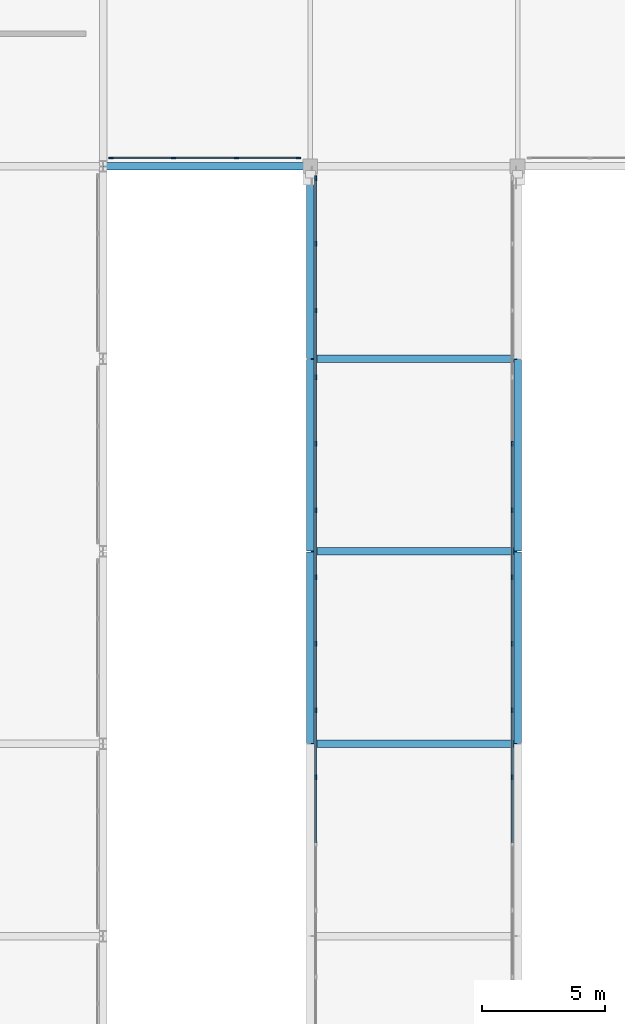
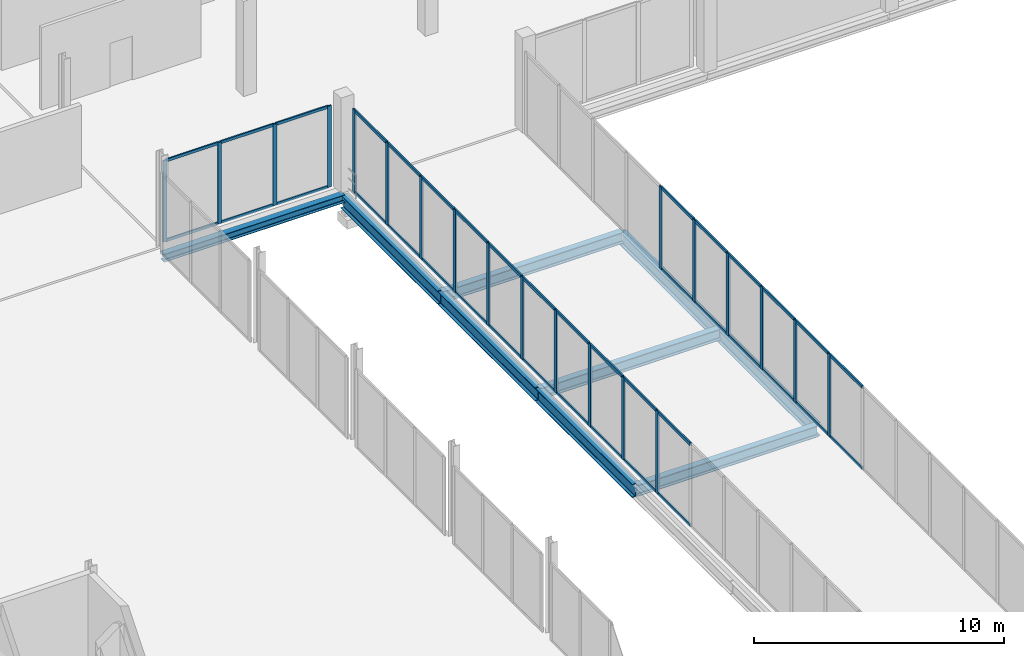
# One storey, part 39 of 98: 58 members, 9 beams, 3 elements without a shape of their own.
"""IFC4 building model written with IfcOpenShell, lengths in metres."""

from ifc_helpers import new_model, si_unit, direction, frame, origin, origin_2d, place, context, subcontext, project, spatial, rectangle, i_section, extrude, material, material_profile, profile_set, type_object, element, aggregate, save


model = new_model("IFC4")

# Units and contexts
model_context = context("Model", 3, precision=1e-05, world=origin(), true_north=direction((0.0, 1.0)))
body_context = subcontext(model_context, "Body", "Model", "MODEL_VIEW")
ifc_project = project(units=[si_unit("LENGTHUNIT", "METRE"), si_unit("AREAUNIT", "SQUARE_METRE"), si_unit("VOLUMEUNIT", "CUBIC_METRE"), si_unit("PLANEANGLEUNIT", "RADIAN"), si_unit("MASSUNIT", "GRAM", prefix="KILO")], contexts=[model_context])

# Site, building, storey
site_placement = place(None, origin())
site = spatial("IfcSite", under=ifc_project, at=site_placement, CompositionType="ELEMENT")
building_placement = place(site_placement, origin())
building = spatial("IfcBuilding", under=site, at=building_placement, Name="Nabrawat Pavilion Hospital", CompositionType="ELEMENT")
storey_placement = place(building_placement, frame((0.0, 0.0, 10.199951171875)))
storey = spatial("IfcBuildingStorey", under=building, at=storey_placement, Name="L02", CompositionType="ELEMENT", Elevation=10.199951171875)

# Beams
ifc_material_1 = material(Name="Steel S355", Category="steel")
ifc_material_profile_1 = material_profile(ifc_material_1, i_section(OverallWidth=0.300048828125, OverallDepth=0.64990234375, WebThickness=0.01611328125, FlangeThickness=0.031005859375, FilletRadius=0.027099609375, at=origin_2d()), Name="HEB 650")
ifc_profile_set_1 = profile_set([ifc_material_profile_1], Name="Steel S355")
beam_type_1 = type_object("IfcBeamType", Name="Courtyard Link Bridge Edge Girder HEB 650", PredefinedType="USERDEFINED", material=ifc_profile_set_1)
for number, where, z_axis, x_axis, name in (
    (1, (67.199951171875, 62.419921875, -0.614990234375), (0.0, 1.0, 0.0), (-1.0, 0.0, 0.0), "L02 Courtyard Link Bridge Edge Girder 1240"),
    (2, (67.199951171875, 70.219970703125, -0.614990234375), (0.0, 1.0, 0.0), (-1.0, 0.0, 0.0), "L02 Courtyard Link Bridge Edge Girder 1241"),
    (3, (67.199951171875, 78.02001953125, -0.614990234375), (0.0, 1.0, 0.0), (-1.0, 0.0, 0.0), "L02 Courtyard Link Bridge Edge Girder 1242"),
    (4, (75.60009765625, 62.419921875, -0.614990234375), (0.0, 1.0, 0.0), (-1.0, 0.0, 0.0), "L02 Courtyard Link Bridge Edge Girder 1249"),
    (5, (75.60009765625, 70.219970703125, -0.614990234375), (0.0, 1.0, 0.0), (-1.0, 0.0, 0.0), "L02 Courtyard Link Bridge Edge Girder 1250"),
):
    element("IfcBeam", number, at=place(storey_placement, frame(where, z_axis=z_axis, x_axis=x_axis)), inside=storey, type_object=beam_type_1, Name=name, ObjectType="GIRDER", PredefinedType="USERDEFINED", context=body_context, shape_type="SweptSolid", body=[
        extrude(i_section(OverallWidth=0.300048828125, OverallDepth=0.64990234375, WebThickness=0.01611328125, FlangeThickness=0.031005859375, FilletRadius=0.027099609375, at=origin_2d()), origin(), (0.0, 0.0, 1.0), 7.760009765625),
    ])

# Curtain wall, members
ifc_material_2 = material(Name="Anodised Aluminium", Category="aluminium")
curtain_wall_type_1 = type_object("IfcCurtainWallType", Name="Courtyard Link Bridge Glazed Curtain Wall", PredefinedType="USERDEFINED", material=ifc_material_2)
curtain_wall_1_placement = place(storey_placement, origin())
curtain_wall_1 = element("IfcCurtainWall", 6, at=curtain_wall_1_placement, inside=storey, type_object=curtain_wall_type_1, Name="L02 Courtyard Link Bridge Glazed Curtain Wall 117", ObjectType="CURTAIN WALL", PredefinedType="USERDEFINED")
ifc_material_profile_2 = material_profile(ifc_material_2, rectangle(XDim=0.070068359375, YDim=0.199951171875, at=origin_2d()), Name="CWM 70x200")
ifc_profile_set_2 = profile_set([ifc_material_profile_2], Name="Anodised Aluminium")
member_type_1 = type_object("IfcMemberType", Name="Courtyard Link Bridge Glazed Curtain Wall Mullion CWM 70x200", PredefinedType="MULLION", material=ifc_profile_set_2)
member_1_placement = place(storey_placement, frame((67.419921875, 61.04931640625, 0.0), z_axis=(0.0, 0.0, 1.0), x_axis=(-1.0, 0.0, 0.0)))
member_1 = element("IfcMember", 7, at=member_1_placement, type_object=member_type_1, Name="CW-BRG-01 mullion 9", PredefinedType="MULLION", context=body_context, shape_type="SweptSolid", body=[
    extrude(rectangle(XDim=0.070068359375, YDim=0.199951171875, at=origin_2d()), origin(), (0.0, 0.0, 1.0), 4.0400390625),
])
member_2_placement = place(storey_placement, frame((67.419921875, 63.75048828125, 0.0), z_axis=(0.0, 0.0, 1.0), x_axis=(-1.0, 0.0, 0.0)))
member_2 = element("IfcMember", 8, at=member_2_placement, type_object=member_type_1, Name="CW-BRG-01 mullion 10", PredefinedType="MULLION", context=body_context, shape_type="SweptSolid", body=[
    extrude(rectangle(XDim=0.070068359375, YDim=0.199951171875, at=origin_2d()), origin(), (0.0, 0.0, 1.0), 4.0400390625),
])
member_3_placement = place(storey_placement, frame((67.419921875, 66.45166015625, 0.0), z_axis=(0.0, 0.0, 1.0), x_axis=(-1.0, 0.0, 0.0)))
member_3 = element("IfcMember", 9, at=member_3_placement, type_object=member_type_1, Name="CW-BRG-01 mullion 11", PredefinedType="MULLION", context=body_context, shape_type="SweptSolid", body=[
    extrude(rectangle(XDim=0.070068359375, YDim=0.199951171875, at=origin_2d()), origin(), (0.0, 0.0, 1.0), 4.0400390625),
])
member_4_placement = place(storey_placement, frame((67.419921875, 69.15283203125, 0.0), z_axis=(0.0, 0.0, 1.0), x_axis=(-1.0, 0.0, 0.0)))
member_4 = element("IfcMember", 10, at=member_4_placement, type_object=member_type_1, Name="CW-BRG-01 mullion 12", PredefinedType="MULLION", context=body_context, shape_type="SweptSolid", body=[
    extrude(rectangle(XDim=0.070068359375, YDim=0.199951171875, at=origin_2d()), origin(), (0.0, 0.0, 1.0), 4.0400390625),
])
member_5_placement = place(storey_placement, frame((67.419921875, 71.85400390625, 0.0), z_axis=(0.0, 0.0, 1.0), x_axis=(-1.0, 0.0, 0.0)))
member_5 = element("IfcMember", 11, at=member_5_placement, type_object=member_type_1, Name="CW-BRG-01 mullion 13", PredefinedType="MULLION", context=body_context, shape_type="SweptSolid", body=[
    extrude(rectangle(XDim=0.070068359375, YDim=0.199951171875, at=origin_2d()), origin(), (0.0, 0.0, 1.0), 4.0400390625),
])
member_6_placement = place(storey_placement, frame((67.419921875, 74.55517578125, 0.0), z_axis=(0.0, 0.0, 1.0), x_axis=(-1.0, 0.0, 0.0)))
member_6 = element("IfcMember", 12, at=member_6_placement, type_object=member_type_1, Name="CW-BRG-01 mullion 14", PredefinedType="MULLION", context=body_context, shape_type="SweptSolid", body=[
    extrude(rectangle(XDim=0.070068359375, YDim=0.199951171875, at=origin_2d()), origin(), (0.0, 0.0, 1.0), 4.0400390625),
])
member_7_placement = place(storey_placement, frame((67.419921875, 77.256591796875, 0.0), z_axis=(0.0, 0.0, 1.0), x_axis=(-1.0, 0.0, 0.0)))
member_7 = element("IfcMember", 13, at=member_7_placement, type_object=member_type_1, Name="CW-BRG-01 mullion 15", PredefinedType="MULLION", context=body_context, shape_type="SweptSolid", body=[
    extrude(rectangle(XDim=0.070068359375, YDim=0.199951171875, at=origin_2d()), origin(), (0.0, 0.0, 1.0), 4.0400390625),
])
member_8_placement = place(storey_placement, frame((67.419921875, 79.957763671875, 0.0), z_axis=(0.0, 0.0, 1.0), x_axis=(-1.0, 0.0, 0.0)))
member_8 = element("IfcMember", 14, at=member_8_placement, type_object=member_type_1, Name="CW-BRG-01 mullion 16", PredefinedType="MULLION", context=body_context, shape_type="SweptSolid", body=[
    extrude(rectangle(XDim=0.070068359375, YDim=0.199951171875, at=origin_2d()), origin(), (0.0, 0.0, 1.0), 4.0400390625),
])
member_9_placement = place(storey_placement, frame((67.419921875, 82.658935546875, 0.0), z_axis=(0.0, 0.0, 1.0), x_axis=(-1.0, 0.0, 0.0)))
member_9 = element("IfcMember", 15, at=member_9_placement, type_object=member_type_1, Name="CW-BRG-01 mullion 17", PredefinedType="MULLION", context=body_context, shape_type="SweptSolid", body=[
    extrude(rectangle(XDim=0.070068359375, YDim=0.199951171875, at=origin_2d()), origin(), (0.0, 0.0, 1.0), 4.0400390625),
])
member_10_placement = place(storey_placement, frame((67.419921875, 85.324951171875, 0.0), z_axis=(0.0, 0.0, 1.0), x_axis=(-1.0, 0.0, 0.0)))
member_10 = element("IfcMember", 16, at=member_10_placement, type_object=member_type_1, Name="CW-BRG-01 mullion 18", PredefinedType="MULLION", context=body_context, shape_type="SweptSolid", body=[
    extrude(rectangle(XDim=0.070068359375, YDim=0.199951171875, at=origin_2d()), origin(), (0.0, 0.0, 1.0), 4.0400390625),
])

curtain_wall_2_placement = place(storey_placement, origin())
curtain_wall_2 = element("IfcCurtainWall", 17, at=curtain_wall_2_placement, inside=storey, type_object=curtain_wall_type_1, Name="L02 Courtyard Link Bridge Glazed Curtain Wall 118", ObjectType="CURTAIN WALL", PredefinedType="USERDEFINED")
member_11_placement = place(storey_placement, frame((75.3798828125, 61.04931640625, 0.0), z_axis=(0.0, 0.0, 1.0), x_axis=(-1.0, 0.0, 0.0)))
member_11 = element("IfcMember", 18, at=member_11_placement, type_object=member_type_1, Name="CW-BRG-01 mullion 9", PredefinedType="MULLION", context=body_context, shape_type="SweptSolid", body=[
    extrude(rectangle(XDim=0.070068359375, YDim=0.199951171875, at=origin_2d()), origin(), (0.0, 0.0, 1.0), 4.0400390625),
])
member_12_placement = place(storey_placement, frame((75.3798828125, 63.75048828125, 0.0), z_axis=(0.0, 0.0, 1.0), x_axis=(-1.0, 0.0, 0.0)))
member_12 = element("IfcMember", 19, at=member_12_placement, type_object=member_type_1, Name="CW-BRG-01 mullion 10", PredefinedType="MULLION", context=body_context, shape_type="SweptSolid", body=[
    extrude(rectangle(XDim=0.070068359375, YDim=0.199951171875, at=origin_2d()), origin(), (0.0, 0.0, 1.0), 4.0400390625),
])
member_13_placement = place(storey_placement, frame((75.3798828125, 66.45166015625, 0.0), z_axis=(0.0, 0.0, 1.0), x_axis=(-1.0, 0.0, 0.0)))
member_13 = element("IfcMember", 20, at=member_13_placement, type_object=member_type_1, Name="CW-BRG-01 mullion 11", PredefinedType="MULLION", context=body_context, shape_type="SweptSolid", body=[
    extrude(rectangle(XDim=0.070068359375, YDim=0.199951171875, at=origin_2d()), origin(), (0.0, 0.0, 1.0), 4.0400390625),
])
member_14_placement = place(storey_placement, frame((75.3798828125, 69.15283203125, 0.0), z_axis=(0.0, 0.0, 1.0), x_axis=(-1.0, 0.0, 0.0)))
member_14 = element("IfcMember", 21, at=member_14_placement, type_object=member_type_1, Name="CW-BRG-01 mullion 12", PredefinedType="MULLION", context=body_context, shape_type="SweptSolid", body=[
    extrude(rectangle(XDim=0.070068359375, YDim=0.199951171875, at=origin_2d()), origin(), (0.0, 0.0, 1.0), 4.0400390625),
])
member_15_placement = place(storey_placement, frame((75.3798828125, 71.85400390625, 0.0), z_axis=(0.0, 0.0, 1.0), x_axis=(-1.0, 0.0, 0.0)))
member_15 = element("IfcMember", 22, at=member_15_placement, type_object=member_type_1, Name="CW-BRG-01 mullion 13", PredefinedType="MULLION", context=body_context, shape_type="SweptSolid", body=[
    extrude(rectangle(XDim=0.070068359375, YDim=0.199951171875, at=origin_2d()), origin(), (0.0, 0.0, 1.0), 4.0400390625),
])
member_16_placement = place(storey_placement, frame((75.3798828125, 74.55517578125, 0.0), z_axis=(0.0, 0.0, 1.0), x_axis=(-1.0, 0.0, 0.0)))
member_16 = element("IfcMember", 23, at=member_16_placement, type_object=member_type_1, Name="CW-BRG-01 mullion 14", PredefinedType="MULLION", context=body_context, shape_type="SweptSolid", body=[
    extrude(rectangle(XDim=0.070068359375, YDim=0.199951171875, at=origin_2d()), origin(), (0.0, 0.0, 1.0), 4.0400390625),
])

# Member
ifc_material_profile_3 = material_profile(ifc_material_2, rectangle(XDim=0.070068359375, YDim=0.14990234375, at=origin_2d()), Name="CWT 70x150")
ifc_profile_set_3 = profile_set([ifc_material_profile_3], Name="Anodised Aluminium")
member_type_2 = type_object("IfcMemberType", Name="Courtyard Link Bridge Glazed Curtain Wall Transom CWT 70x150", PredefinedType="USERDEFINED", material=ifc_profile_set_3)
member_17_placement = place(storey_placement, frame((67.419921875, 58.38330078125, 0.03515625), z_axis=(0.0, 1.0, 0.0), x_axis=(-1.0, 0.0, 0.0)))
member_17 = element("IfcMember", 24, at=member_17_placement, type_object=member_type_2, Name="CW-BRG-01 transom 8.1", ObjectType="TRANSOM", PredefinedType="USERDEFINED", context=body_context, shape_type="SweptSolid", body=[
    extrude(rectangle(XDim=0.070068359375, YDim=0.14990234375, at=origin_2d()), origin(), (0.0, 0.0, 1.0), 2.631103515625),
])

member_18_placement = place(storey_placement, frame((67.419921875, 58.38330078125, 4.005126953125), z_axis=(0.0, 1.0, 0.0), x_axis=(-1.0, 0.0, 0.0)))
member_18 = element("IfcMember", 25, at=member_18_placement, type_object=member_type_2, Name="CW-BRG-01 transom 8.2", ObjectType="TRANSOM", PredefinedType="USERDEFINED", context=body_context, shape_type="SweptSolid", body=[
    extrude(rectangle(XDim=0.070068359375, YDim=0.14990234375, at=origin_2d()), origin(), (0.0, 0.0, 1.0), 2.631103515625),
])

member_19_placement = place(storey_placement, frame((67.419921875, 61.08447265625, 0.03515625), z_axis=(0.0, 1.0, 0.0), x_axis=(-1.0, 0.0, 0.0)))
member_19 = element("IfcMember", 26, at=member_19_placement, type_object=member_type_2, Name="CW-BRG-01 transom 9.1", ObjectType="TRANSOM", PredefinedType="USERDEFINED", context=body_context, shape_type="SweptSolid", body=[
    extrude(rectangle(XDim=0.070068359375, YDim=0.14990234375, at=origin_2d()), origin(), (0.0, 0.0, 1.0), 2.631103515625),
])

member_20_placement = place(storey_placement, frame((67.419921875, 61.08447265625, 4.005126953125), z_axis=(0.0, 1.0, 0.0), x_axis=(-1.0, 0.0, 0.0)))
member_20 = element("IfcMember", 27, at=member_20_placement, type_object=member_type_2, Name="CW-BRG-01 transom 9.2", ObjectType="TRANSOM", PredefinedType="USERDEFINED", context=body_context, shape_type="SweptSolid", body=[
    extrude(rectangle(XDim=0.070068359375, YDim=0.14990234375, at=origin_2d()), origin(), (0.0, 0.0, 1.0), 2.631103515625),
])

member_21_placement = place(storey_placement, frame((67.419921875, 63.78564453125, 0.03515625), z_axis=(0.0, 1.0, 0.0), x_axis=(-1.0, 0.0, 0.0)))
member_21 = element("IfcMember", 28, at=member_21_placement, type_object=member_type_2, Name="CW-BRG-01 transom 10.1", ObjectType="TRANSOM", PredefinedType="USERDEFINED", context=body_context, shape_type="SweptSolid", body=[
    extrude(rectangle(XDim=0.070068359375, YDim=0.14990234375, at=origin_2d()), origin(), (0.0, 0.0, 1.0), 2.631103515625),
])

member_22_placement = place(storey_placement, frame((67.419921875, 63.78564453125, 4.005126953125), z_axis=(0.0, 1.0, 0.0), x_axis=(-1.0, 0.0, 0.0)))
member_22 = element("IfcMember", 29, at=member_22_placement, type_object=member_type_2, Name="CW-BRG-01 transom 10.2", ObjectType="TRANSOM", PredefinedType="USERDEFINED", context=body_context, shape_type="SweptSolid", body=[
    extrude(rectangle(XDim=0.070068359375, YDim=0.14990234375, at=origin_2d()), origin(), (0.0, 0.0, 1.0), 2.631103515625),
])

member_23_placement = place(storey_placement, frame((67.419921875, 66.48681640625, 0.03515625), z_axis=(0.0, 1.0, 0.0), x_axis=(-1.0, 0.0, 0.0)))
member_23 = element("IfcMember", 30, at=member_23_placement, type_object=member_type_2, Name="CW-BRG-01 transom 11.1", ObjectType="TRANSOM", PredefinedType="USERDEFINED", context=body_context, shape_type="SweptSolid", body=[
    extrude(rectangle(XDim=0.070068359375, YDim=0.14990234375, at=origin_2d()), origin(), (0.0, 0.0, 1.0), 2.631103515625),
])

member_24_placement = place(storey_placement, frame((67.419921875, 66.48681640625, 4.005126953125), z_axis=(0.0, 1.0, 0.0), x_axis=(-1.0, 0.0, 0.0)))
member_24 = element("IfcMember", 31, at=member_24_placement, type_object=member_type_2, Name="CW-BRG-01 transom 11.2", ObjectType="TRANSOM", PredefinedType="USERDEFINED", context=body_context, shape_type="SweptSolid", body=[
    extrude(rectangle(XDim=0.070068359375, YDim=0.14990234375, at=origin_2d()), origin(), (0.0, 0.0, 1.0), 2.631103515625),
])

member_25_placement = place(storey_placement, frame((67.419921875, 69.18798828125, 0.03515625), z_axis=(0.0, 1.0, 0.0), x_axis=(-1.0, 0.0, 0.0)))
member_25 = element("IfcMember", 32, at=member_25_placement, type_object=member_type_2, Name="CW-BRG-01 transom 12.1", ObjectType="TRANSOM", PredefinedType="USERDEFINED", context=body_context, shape_type="SweptSolid", body=[
    extrude(rectangle(XDim=0.070068359375, YDim=0.14990234375, at=origin_2d()), origin(), (0.0, 0.0, 1.0), 2.631103515625),
])

member_26_placement = place(storey_placement, frame((67.419921875, 69.18798828125, 4.005126953125), z_axis=(0.0, 1.0, 0.0), x_axis=(-1.0, 0.0, 0.0)))
member_26 = element("IfcMember", 33, at=member_26_placement, type_object=member_type_2, Name="CW-BRG-01 transom 12.2", ObjectType="TRANSOM", PredefinedType="USERDEFINED", context=body_context, shape_type="SweptSolid", body=[
    extrude(rectangle(XDim=0.070068359375, YDim=0.14990234375, at=origin_2d()), origin(), (0.0, 0.0, 1.0), 2.631103515625),
])

member_27_placement = place(storey_placement, frame((67.419921875, 71.88916015625, 0.03515625), z_axis=(0.0, 1.0, 0.0), x_axis=(-1.0, 0.0, 0.0)))
member_27 = element("IfcMember", 34, at=member_27_placement, type_object=member_type_2, Name="CW-BRG-01 transom 13.1", ObjectType="TRANSOM", PredefinedType="USERDEFINED", context=body_context, shape_type="SweptSolid", body=[
    extrude(rectangle(XDim=0.070068359375, YDim=0.14990234375, at=origin_2d()), origin(), (0.0, 0.0, 1.0), 2.631103515625),
])

member_28_placement = place(storey_placement, frame((67.419921875, 71.88916015625, 4.005126953125), z_axis=(0.0, 1.0, 0.0), x_axis=(-1.0, 0.0, 0.0)))
member_28 = element("IfcMember", 35, at=member_28_placement, type_object=member_type_2, Name="CW-BRG-01 transom 13.2", ObjectType="TRANSOM", PredefinedType="USERDEFINED", context=body_context, shape_type="SweptSolid", body=[
    extrude(rectangle(XDim=0.070068359375, YDim=0.14990234375, at=origin_2d()), origin(), (0.0, 0.0, 1.0), 2.631103515625),
])

member_29_placement = place(storey_placement, frame((67.419921875, 74.59033203125, 0.03515625), z_axis=(0.0, 1.0, 0.0), x_axis=(-1.0, 0.0, 0.0)))
member_29 = element("IfcMember", 36, at=member_29_placement, type_object=member_type_2, Name="CW-BRG-01 transom 14.1", ObjectType="TRANSOM", PredefinedType="USERDEFINED", context=body_context, shape_type="SweptSolid", body=[
    extrude(rectangle(XDim=0.070068359375, YDim=0.14990234375, at=origin_2d()), origin(), (0.0, 0.0, 1.0), 2.631103515625),
])

member_30_placement = place(storey_placement, frame((67.419921875, 74.59033203125, 4.005126953125), z_axis=(0.0, 1.0, 0.0), x_axis=(-1.0, 0.0, 0.0)))
member_30 = element("IfcMember", 37, at=member_30_placement, type_object=member_type_2, Name="CW-BRG-01 transom 14.2", ObjectType="TRANSOM", PredefinedType="USERDEFINED", context=body_context, shape_type="SweptSolid", body=[
    extrude(rectangle(XDim=0.070068359375, YDim=0.14990234375, at=origin_2d()), origin(), (0.0, 0.0, 1.0), 2.631103515625),
])

member_31_placement = place(storey_placement, frame((67.419921875, 77.29150390625, 0.03515625), z_axis=(0.0, 1.0, 0.0), x_axis=(-1.0, 0.0, 0.0)))
member_31 = element("IfcMember", 38, at=member_31_placement, type_object=member_type_2, Name="CW-BRG-01 transom 15.1", ObjectType="TRANSOM", PredefinedType="USERDEFINED", context=body_context, shape_type="SweptSolid", body=[
    extrude(rectangle(XDim=0.070068359375, YDim=0.14990234375, at=origin_2d()), origin(), (0.0, 0.0, 1.0), 2.631103515625),
])

member_32_placement = place(storey_placement, frame((67.419921875, 77.29150390625, 4.005126953125), z_axis=(0.0, 1.0, 0.0), x_axis=(-1.0, 0.0, 0.0)))
member_32 = element("IfcMember", 39, at=member_32_placement, type_object=member_type_2, Name="CW-BRG-01 transom 15.2", ObjectType="TRANSOM", PredefinedType="USERDEFINED", context=body_context, shape_type="SweptSolid", body=[
    extrude(rectangle(XDim=0.070068359375, YDim=0.14990234375, at=origin_2d()), origin(), (0.0, 0.0, 1.0), 2.631103515625),
])

member_33_placement = place(storey_placement, frame((67.419921875, 79.99267578125, 0.03515625), z_axis=(0.0, 1.0, 0.0), x_axis=(-1.0, 0.0, 0.0)))
member_33 = element("IfcMember", 40, at=member_33_placement, type_object=member_type_2, Name="CW-BRG-01 transom 16.1", ObjectType="TRANSOM", PredefinedType="USERDEFINED", context=body_context, shape_type="SweptSolid", body=[
    extrude(rectangle(XDim=0.070068359375, YDim=0.14990234375, at=origin_2d()), origin(), (0.0, 0.0, 1.0), 2.631103515625),
])

member_34_placement = place(storey_placement, frame((67.419921875, 79.99267578125, 4.005126953125), z_axis=(0.0, 1.0, 0.0), x_axis=(-1.0, 0.0, 0.0)))
member_34 = element("IfcMember", 41, at=member_34_placement, type_object=member_type_2, Name="CW-BRG-01 transom 16.2", ObjectType="TRANSOM", PredefinedType="USERDEFINED", context=body_context, shape_type="SweptSolid", body=[
    extrude(rectangle(XDim=0.070068359375, YDim=0.14990234375, at=origin_2d()), origin(), (0.0, 0.0, 1.0), 2.631103515625),
])

member_35_placement = place(storey_placement, frame((67.419921875, 82.69384765625, 0.03515625), z_axis=(0.0, 1.0, 0.0), x_axis=(-1.0, 0.0, 0.0)))
member_35 = element("IfcMember", 42, at=member_35_placement, type_object=member_type_2, Name="CW-BRG-01 transom 17.1", ObjectType="TRANSOM", PredefinedType="USERDEFINED", context=body_context, shape_type="SweptSolid", body=[
    extrude(rectangle(XDim=0.070068359375, YDim=0.14990234375, at=origin_2d()), origin(), (0.0, 0.0, 1.0), 2.59619140625),
])

member_36_placement = place(storey_placement, frame((67.419921875, 82.69384765625, 4.005126953125), z_axis=(0.0, 1.0, 0.0), x_axis=(-1.0, 0.0, 0.0)))
member_36 = element("IfcMember", 43, at=member_36_placement, type_object=member_type_2, Name="CW-BRG-01 transom 17.2", ObjectType="TRANSOM", PredefinedType="USERDEFINED", context=body_context, shape_type="SweptSolid", body=[
    extrude(rectangle(XDim=0.070068359375, YDim=0.14990234375, at=origin_2d()), origin(), (0.0, 0.0, 1.0), 2.59619140625),
])

aggregate(curtain_wall_1, [member_1, member_2, member_3, member_4, member_5, member_6, member_7, member_8, member_9, member_10, member_17, member_18, member_19, member_20, member_21, member_22, member_23, member_24, member_25, member_26, member_27, member_28, member_29, member_30, member_31, member_32, member_33, member_34, member_35, member_36])

member_37_placement = place(storey_placement, frame((75.3798828125, 58.38330078125, 0.03515625), z_axis=(0.0, 1.0, 0.0), x_axis=(-1.0, 0.0, 0.0)))
member_37 = element("IfcMember", 44, at=member_37_placement, type_object=member_type_2, Name="CW-BRG-01 transom 8.1", ObjectType="TRANSOM", PredefinedType="USERDEFINED", context=body_context, shape_type="SweptSolid", body=[
    extrude(rectangle(XDim=0.070068359375, YDim=0.14990234375, at=origin_2d()), origin(), (0.0, 0.0, 1.0), 2.631103515625),
])

member_38_placement = place(storey_placement, frame((75.3798828125, 58.38330078125, 4.005126953125), z_axis=(0.0, 1.0, 0.0), x_axis=(-1.0, 0.0, 0.0)))
member_38 = element("IfcMember", 45, at=member_38_placement, type_object=member_type_2, Name="CW-BRG-01 transom 8.2", ObjectType="TRANSOM", PredefinedType="USERDEFINED", context=body_context, shape_type="SweptSolid", body=[
    extrude(rectangle(XDim=0.070068359375, YDim=0.14990234375, at=origin_2d()), origin(), (0.0, 0.0, 1.0), 2.631103515625),
])

member_39_placement = place(storey_placement, frame((75.3798828125, 61.08447265625, 0.03515625), z_axis=(0.0, 1.0, 0.0), x_axis=(-1.0, 0.0, 0.0)))
member_39 = element("IfcMember", 46, at=member_39_placement, type_object=member_type_2, Name="CW-BRG-01 transom 9.1", ObjectType="TRANSOM", PredefinedType="USERDEFINED", context=body_context, shape_type="SweptSolid", body=[
    extrude(rectangle(XDim=0.070068359375, YDim=0.14990234375, at=origin_2d()), origin(), (0.0, 0.0, 1.0), 2.631103515625),
])

member_40_placement = place(storey_placement, frame((75.3798828125, 61.08447265625, 4.005126953125), z_axis=(0.0, 1.0, 0.0), x_axis=(-1.0, 0.0, 0.0)))
member_40 = element("IfcMember", 47, at=member_40_placement, type_object=member_type_2, Name="CW-BRG-01 transom 9.2", ObjectType="TRANSOM", PredefinedType="USERDEFINED", context=body_context, shape_type="SweptSolid", body=[
    extrude(rectangle(XDim=0.070068359375, YDim=0.14990234375, at=origin_2d()), origin(), (0.0, 0.0, 1.0), 2.631103515625),
])

member_41_placement = place(storey_placement, frame((75.3798828125, 63.78564453125, 0.03515625), z_axis=(0.0, 1.0, 0.0), x_axis=(-1.0, 0.0, 0.0)))
member_41 = element("IfcMember", 48, at=member_41_placement, type_object=member_type_2, Name="CW-BRG-01 transom 10.1", ObjectType="TRANSOM", PredefinedType="USERDEFINED", context=body_context, shape_type="SweptSolid", body=[
    extrude(rectangle(XDim=0.070068359375, YDim=0.14990234375, at=origin_2d()), origin(), (0.0, 0.0, 1.0), 2.631103515625),
])

member_42_placement = place(storey_placement, frame((75.3798828125, 63.78564453125, 4.005126953125), z_axis=(0.0, 1.0, 0.0), x_axis=(-1.0, 0.0, 0.0)))
member_42 = element("IfcMember", 49, at=member_42_placement, type_object=member_type_2, Name="CW-BRG-01 transom 10.2", ObjectType="TRANSOM", PredefinedType="USERDEFINED", context=body_context, shape_type="SweptSolid", body=[
    extrude(rectangle(XDim=0.070068359375, YDim=0.14990234375, at=origin_2d()), origin(), (0.0, 0.0, 1.0), 2.631103515625),
])

member_43_placement = place(storey_placement, frame((75.3798828125, 66.48681640625, 0.03515625), z_axis=(0.0, 1.0, 0.0), x_axis=(-1.0, 0.0, 0.0)))
member_43 = element("IfcMember", 50, at=member_43_placement, type_object=member_type_2, Name="CW-BRG-01 transom 11.1", ObjectType="TRANSOM", PredefinedType="USERDEFINED", context=body_context, shape_type="SweptSolid", body=[
    extrude(rectangle(XDim=0.070068359375, YDim=0.14990234375, at=origin_2d()), origin(), (0.0, 0.0, 1.0), 2.631103515625),
])

member_44_placement = place(storey_placement, frame((75.3798828125, 66.48681640625, 4.005126953125), z_axis=(0.0, 1.0, 0.0), x_axis=(-1.0, 0.0, 0.0)))
member_44 = element("IfcMember", 51, at=member_44_placement, type_object=member_type_2, Name="CW-BRG-01 transom 11.2", ObjectType="TRANSOM", PredefinedType="USERDEFINED", context=body_context, shape_type="SweptSolid", body=[
    extrude(rectangle(XDim=0.070068359375, YDim=0.14990234375, at=origin_2d()), origin(), (0.0, 0.0, 1.0), 2.631103515625),
])

member_45_placement = place(storey_placement, frame((75.3798828125, 69.18798828125, 0.03515625), z_axis=(0.0, 1.0, 0.0), x_axis=(-1.0, 0.0, 0.0)))
member_45 = element("IfcMember", 52, at=member_45_placement, type_object=member_type_2, Name="CW-BRG-01 transom 12.1", ObjectType="TRANSOM", PredefinedType="USERDEFINED", context=body_context, shape_type="SweptSolid", body=[
    extrude(rectangle(XDim=0.070068359375, YDim=0.14990234375, at=origin_2d()), origin(), (0.0, 0.0, 1.0), 2.631103515625),
])

member_46_placement = place(storey_placement, frame((75.3798828125, 69.18798828125, 4.005126953125), z_axis=(0.0, 1.0, 0.0), x_axis=(-1.0, 0.0, 0.0)))
member_46 = element("IfcMember", 53, at=member_46_placement, type_object=member_type_2, Name="CW-BRG-01 transom 12.2", ObjectType="TRANSOM", PredefinedType="USERDEFINED", context=body_context, shape_type="SweptSolid", body=[
    extrude(rectangle(XDim=0.070068359375, YDim=0.14990234375, at=origin_2d()), origin(), (0.0, 0.0, 1.0), 2.631103515625),
])

member_47_placement = place(storey_placement, frame((75.3798828125, 71.88916015625, 0.03515625), z_axis=(0.0, 1.0, 0.0), x_axis=(-1.0, 0.0, 0.0)))
member_47 = element("IfcMember", 54, at=member_47_placement, type_object=member_type_2, Name="CW-BRG-01 transom 13.1", ObjectType="TRANSOM", PredefinedType="USERDEFINED", context=body_context, shape_type="SweptSolid", body=[
    extrude(rectangle(XDim=0.070068359375, YDim=0.14990234375, at=origin_2d()), origin(), (0.0, 0.0, 1.0), 2.631103515625),
])

member_48_placement = place(storey_placement, frame((75.3798828125, 71.88916015625, 4.005126953125), z_axis=(0.0, 1.0, 0.0), x_axis=(-1.0, 0.0, 0.0)))
member_48 = element("IfcMember", 55, at=member_48_placement, type_object=member_type_2, Name="CW-BRG-01 transom 13.2", ObjectType="TRANSOM", PredefinedType="USERDEFINED", context=body_context, shape_type="SweptSolid", body=[
    extrude(rectangle(XDim=0.070068359375, YDim=0.14990234375, at=origin_2d()), origin(), (0.0, 0.0, 1.0), 2.631103515625),
])

aggregate(curtain_wall_2, [member_11, member_12, member_13, member_14, member_15, member_16, member_37, member_38, member_39, member_40, member_41, member_42, member_43, member_44, member_45, member_46, member_47, member_48])

# Curtain wall, members
curtain_wall_type_2 = type_object("IfcCurtainWallType", Name="Healing Garden Cloister Curtain Wall", PredefinedType="USERDEFINED", material=ifc_material_2)
curtain_wall_3_placement = place(storey_placement, origin())
curtain_wall_3 = element("IfcCurtainWall", 56, at=curtain_wall_3_placement, inside=storey, type_object=curtain_wall_type_2, Name="L02 Healing Garden Cloister Curtain Wall 115", ObjectType="CURTAIN WALL", PredefinedType="USERDEFINED")
ifc_material_profile_4 = material_profile(ifc_material_2, rectangle(XDim=0.06494140625, YDim=0.179931640625, at=origin_2d()), Name="CWM 65x180")
ifc_profile_set_4 = profile_set([ifc_material_profile_4], Name="Anodised Aluminium")
member_type_3 = type_object("IfcMemberType", Name="Healing Garden Cloister Curtain Wall Mullion CWM 65x180", PredefinedType="MULLION", material=ifc_profile_set_4)
member_49_placement = place(storey_placement, frame((59.12255859375, 86.139892578125, 0.0), z_axis=(0.0, 0.0, 1.0), x_axis=(0.0, 1.0, 0.0)))
member_49 = element("IfcMember", 57, at=member_49_placement, type_object=member_type_3, Name="CW-CLN-01 mullion 1", PredefinedType="MULLION", context=body_context, shape_type="SweptSolid", body=[
    extrude(rectangle(XDim=0.06494140625, YDim=0.179931640625, at=origin_2d()), origin(), (0.0, 0.0, 1.0), 3.969970703125),
])
member_50_placement = place(storey_placement, frame((61.646728515625, 86.139892578125, 0.0), z_axis=(0.0, 0.0, 1.0), x_axis=(0.0, 1.0, 0.0)))
member_50 = element("IfcMember", 58, at=member_50_placement, type_object=member_type_3, Name="CW-CLN-01 mullion 2", PredefinedType="MULLION", context=body_context, shape_type="SweptSolid", body=[
    extrude(rectangle(XDim=0.06494140625, YDim=0.179931640625, at=origin_2d()), origin(), (0.0, 0.0, 1.0), 3.969970703125),
])
member_51_placement = place(storey_placement, frame((64.203369140625, 86.139892578125, 0.0), z_axis=(0.0, 0.0, 1.0), x_axis=(0.0, 1.0, 0.0)))
member_51 = element("IfcMember", 59, at=member_51_placement, type_object=member_type_3, Name="CW-CLN-01 mullion 3", PredefinedType="MULLION", context=body_context, shape_type="SweptSolid", body=[
    extrude(rectangle(XDim=0.06494140625, YDim=0.179931640625, at=origin_2d()), origin(), (0.0, 0.0, 1.0), 3.969970703125),
])
member_52_placement = place(storey_placement, frame((66.7275390625, 86.139892578125, 0.0), z_axis=(0.0, 0.0, 1.0), x_axis=(0.0, 1.0, 0.0)))
member_52 = element("IfcMember", 60, at=member_52_placement, type_object=member_type_3, Name="CW-CLN-01 mullion 4", PredefinedType="MULLION", context=body_context, shape_type="SweptSolid", body=[
    extrude(rectangle(XDim=0.06494140625, YDim=0.179931640625, at=origin_2d()), origin(), (0.0, 0.0, 1.0), 3.969970703125),
])
ifc_material_profile_5 = material_profile(ifc_material_2, rectangle(XDim=0.06494140625, YDim=0.135009765625, at=origin_2d()), Name="CWT 65x135")
ifc_profile_set_5 = profile_set([ifc_material_profile_5], Name="Anodised Aluminium")
member_type_4 = type_object("IfcMemberType", Name="Healing Garden Cloister Curtain Wall Transom CWT 65x135", PredefinedType="USERDEFINED", material=ifc_profile_set_5)
member_53_placement = place(storey_placement, frame((59.155029296875, 86.139892578125, 0.032470703125), z_axis=(1.0, 0.0, 0.0), x_axis=(0.0, 1.0, 0.0)))
member_53 = element("IfcMember", 61, at=member_53_placement, type_object=member_type_4, Name="CW-CLN-01 transom 1.1", ObjectType="TRANSOM", PredefinedType="USERDEFINED", context=body_context, shape_type="SweptSolid", body=[
    extrude(rectangle(XDim=0.06494140625, YDim=0.135009765625, at=origin_2d()), origin(), (0.0, 0.0, 1.0), 2.459228515625),
])
member_54_placement = place(storey_placement, frame((59.155029296875, 86.139892578125, 3.9375), z_axis=(1.0, 0.0, 0.0), x_axis=(0.0, 1.0, 0.0)))
member_54 = element("IfcMember", 62, at=member_54_placement, type_object=member_type_4, Name="CW-CLN-01 transom 1.2", ObjectType="TRANSOM", PredefinedType="USERDEFINED", context=body_context, shape_type="SweptSolid", body=[
    extrude(rectangle(XDim=0.06494140625, YDim=0.135009765625, at=origin_2d()), origin(), (0.0, 0.0, 1.0), 2.459228515625),
])
member_55_placement = place(storey_placement, frame((61.67919921875, 86.139892578125, 0.032470703125), z_axis=(1.0, 0.0, 0.0), x_axis=(0.0, 1.0, 0.0)))
member_55 = element("IfcMember", 63, at=member_55_placement, type_object=member_type_4, Name="CW-CLN-01 transom 2.1", ObjectType="TRANSOM", PredefinedType="USERDEFINED", context=body_context, shape_type="SweptSolid", body=[
    extrude(rectangle(XDim=0.06494140625, YDim=0.135009765625, at=origin_2d()), origin(), (0.0, 0.0, 1.0), 2.49169921875),
])
member_56_placement = place(storey_placement, frame((61.67919921875, 86.139892578125, 3.9375), z_axis=(1.0, 0.0, 0.0), x_axis=(0.0, 1.0, 0.0)))
member_56 = element("IfcMember", 64, at=member_56_placement, type_object=member_type_4, Name="CW-CLN-01 transom 2.2", ObjectType="TRANSOM", PredefinedType="USERDEFINED", context=body_context, shape_type="SweptSolid", body=[
    extrude(rectangle(XDim=0.06494140625, YDim=0.135009765625, at=origin_2d()), origin(), (0.0, 0.0, 1.0), 2.49169921875),
])
member_57_placement = place(storey_placement, frame((64.23583984375, 86.139892578125, 0.032470703125), z_axis=(1.0, 0.0, 0.0), x_axis=(0.0, 1.0, 0.0)))
member_57 = element("IfcMember", 65, at=member_57_placement, type_object=member_type_4, Name="CW-CLN-01 transom 3.1", ObjectType="TRANSOM", PredefinedType="USERDEFINED", context=body_context, shape_type="SweptSolid", body=[
    extrude(rectangle(XDim=0.06494140625, YDim=0.135009765625, at=origin_2d()), origin(), (0.0, 0.0, 1.0), 2.459228515625),
])
member_58_placement = place(storey_placement, frame((64.23583984375, 86.139892578125, 3.9375), z_axis=(1.0, 0.0, 0.0), x_axis=(0.0, 1.0, 0.0)))
member_58 = element("IfcMember", 66, at=member_58_placement, type_object=member_type_4, Name="CW-CLN-01 transom 3.2", ObjectType="TRANSOM", PredefinedType="USERDEFINED", context=body_context, shape_type="SweptSolid", body=[
    extrude(rectangle(XDim=0.06494140625, YDim=0.135009765625, at=origin_2d()), origin(), (0.0, 0.0, 1.0), 2.459228515625),
])
aggregate(curtain_wall_3, [member_49, member_50, member_51, member_52, member_53, member_54, member_55, member_56, member_57, member_58])

# Beams
ifc_material_profile_6 = material_profile(ifc_material_1, i_section(OverallWidth=0.300048828125, OverallDepth=0.389892578125, WebThickness=0.010986328125, FlangeThickness=0.01904296875, FilletRadius=0.027099609375, at=origin_2d()), Name="HEA 400")
ifc_profile_set_6 = profile_set([ifc_material_profile_6], Name="Steel S355")
beam_type_2 = type_object("IfcBeamType", Name="Perimeter Moment Spandrel Beam HEA 400", PredefinedType="SPANDREL", material=ifc_profile_set_6)
beam_placement = place(storey_placement, frame((58.820068359375, 85.800048828125, -0.445068359375), z_axis=(1.0, 0.0, 0.0), x_axis=(0.0, 1.0, 0.0)))
element("IfcBeam", 67, at=beam_placement, inside=storey, type_object=beam_type_2, Name="L02 Primary X Girder 1084", PredefinedType="SPANDREL", context=body_context, shape_type="SweptSolid", body=[
    extrude(i_section(OverallWidth=0.300048828125, OverallDepth=0.389892578125, WebThickness=0.010986328125, FlangeThickness=0.01904296875, FilletRadius=0.027099609375, at=origin_2d()), origin(), (0.0, 0.0, 1.0), 8.35986328125),
])
ifc_material_profile_7 = material_profile(ifc_material_1, i_section(OverallWidth=0.300048828125, OverallDepth=0.550048828125, WebThickness=0.014892578125, FlangeThickness=0.029052734375, FilletRadius=0.027099609375, at=origin_2d()), Name="HEB 550")
ifc_profile_set_7 = profile_set([ifc_material_profile_7], Name="Steel S355")
beam_type_3 = type_object("IfcBeamType", Name="Primary Floor Girder HEB 550", PredefinedType="USERDEFINED", material=ifc_profile_set_7)
for number, where, z_axis, x_axis, name in (
    (68, (67.219970703125, 62.39990234375, -0.56494140625), (1.0, 0.0, 0.0), (0.0, 1.0, 0.0), "L02 Courtyard Link Bridge Girder 1044"),
    (69, (67.219970703125, 70.199951171875, -0.56494140625), (1.0, 0.0, 0.0), (0.0, 1.0, 0.0), "L02 Courtyard Link Bridge Girder 1055"),
    (70, (67.219970703125, 78.0, -0.56494140625), (1.0, 0.0, 0.0), (0.0, 1.0, 0.0), "L02 Courtyard Link Bridge Girder 1067"),
):
    element("IfcBeam", number, at=place(storey_placement, frame(where, z_axis=z_axis, x_axis=x_axis)), inside=storey, type_object=beam_type_3, Name=name, ObjectType="GIRDER", PredefinedType="USERDEFINED", context=body_context, shape_type="SweptSolid", body=[
        extrude(i_section(OverallWidth=0.300048828125, OverallDepth=0.550048828125, WebThickness=0.014892578125, FlangeThickness=0.029052734375, FilletRadius=0.027099609375, at=origin_2d()), origin(), (0.0, 0.0, 1.0), 8.360107421875),
    ])

save(model, "model.ifc")
